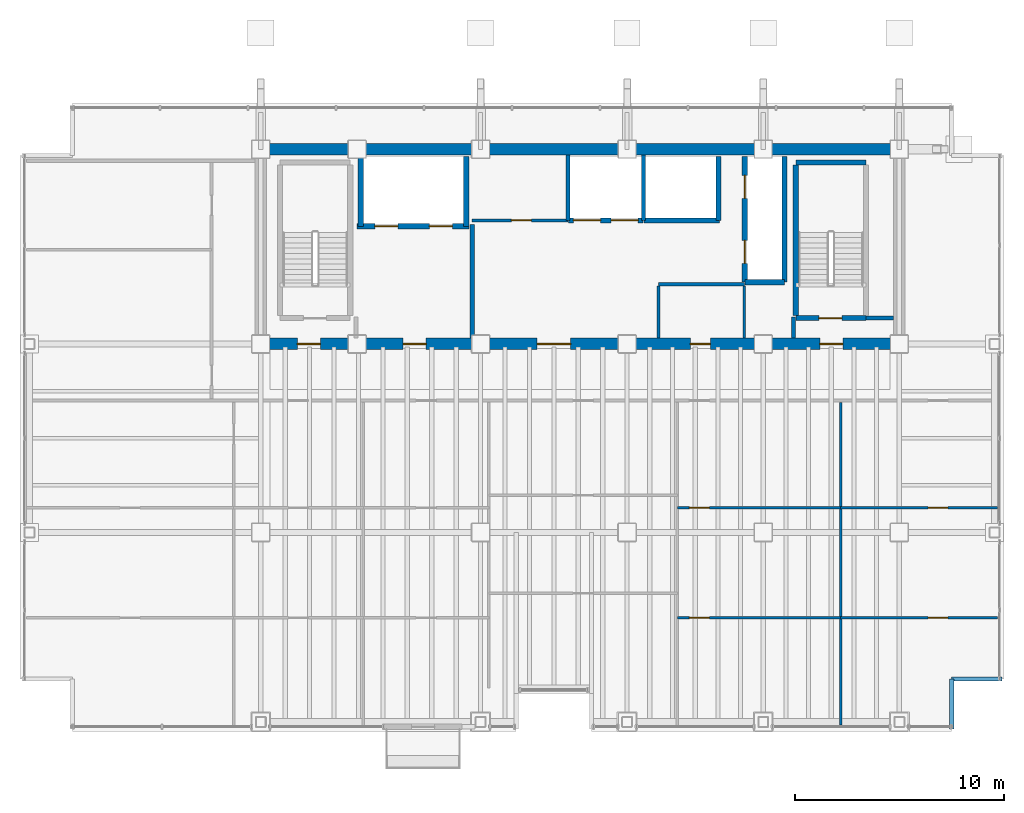
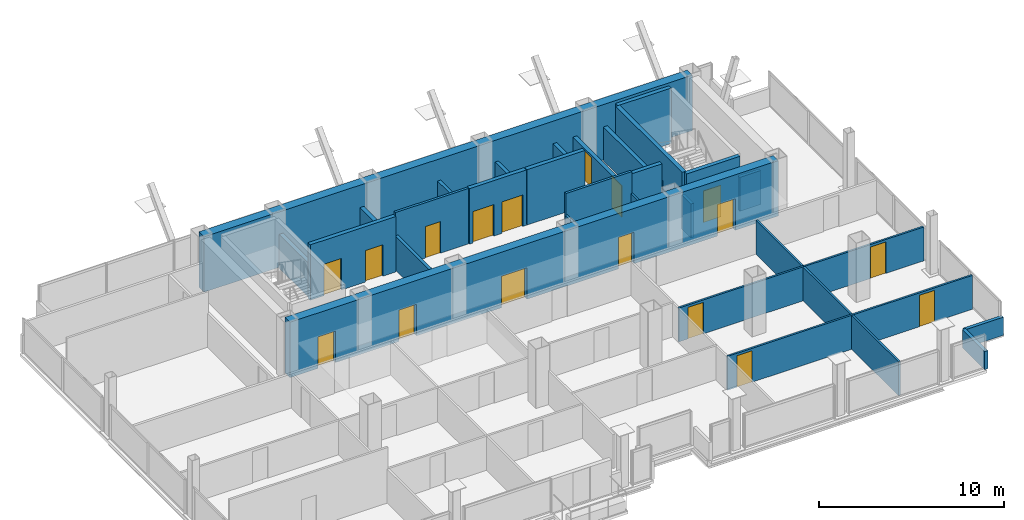
# One storey, part 20 of 22: 30 walls, 17 doors, 17 openings.
"""IFC4 building model written with IfcOpenShell, lengths in metres."""

from ifc_helpers import new_model, si_unit, direction, frame, frame_2d, origin, place, context, subcontext, project, spatial, rectangle, extrude, material, layer, layer_set, type_object, element, fill, save


model = new_model("IFC4")

# Units and contexts
model_context = context("Model", 3, precision=1e-05, world=origin(), true_north=direction((0.0, 1.0)))
body_context = subcontext(model_context, "Body", "Model", "MODEL_VIEW")
ifc_project = project(units=[si_unit("LENGTHUNIT", "METRE"), si_unit("AREAUNIT", "SQUARE_METRE"), si_unit("VOLUMEUNIT", "CUBIC_METRE"), si_unit("PLANEANGLEUNIT", "RADIAN"), si_unit("MASSUNIT", "GRAM", prefix="KILO")], contexts=[model_context])

# Site, building, storey
site_placement = place(None, origin())
site = spatial("IfcSite", under=ifc_project, at=site_placement, CompositionType="ELEMENT")
building_placement = place(site_placement, origin())
building = spatial("IfcBuilding", under=site, at=building_placement, Name="Noeulbin Bourse Tower", CompositionType="ELEMENT")
storey_placement = place(building_placement, frame((0.0, 0.0, 138.300048828125)))
storey = spatial("IfcBuildingStorey", under=building, at=storey_placement, Name="L34", CompositionType="ELEMENT", Elevation=138.300048828125)

# Wall, openings, doors
ifc_material_1 = material(Name="Concrete C60/75", Category="concrete")
ifc_layer_1 = layer(ifc_material_1, 0.550048828125)
ifc_layer_set_1 = layer_set([ifc_layer_1], Name="Concrete C60/75")
wall_type_1 = type_object("IfcWallType", Name="WAL-CORE-550", PredefinedType="SHEAR", material=ifc_layer_set_1)
wall_1_placement = place(storey_placement, frame((13.5, 29.0, 0.0), z_axis=(0.0, 0.0, 1.0), x_axis=(1.0, 0.0, 0.0)))
wall_1 = element("IfcWall", 1, at=wall_1_placement, inside=storey, type_object=wall_type_1, Name="Rear Core South Shear Wall L34", PredefinedType="SHEAR", context=body_context, shape_type="SweptSolid", body=[
    extrude(rectangle(XDim=30.5, YDim=0.550048828125, at=frame_2d((15.25, 0.0))), origin(), (0.0, 0.0, 1.0), 3.659912109375),
])
opening_1_placement = place(wall_1_placement, frame((1.75, 0.0, 0.0)))
opening_1 = element("IfcOpeningElement", 2, at=opening_1_placement, cuts=wall_1, Name="Opening FD-11", PredefinedType="OPENING", context=body_context, shape_type="SweptSolid", body=[
    extrude(rectangle(XDim=1.10009765625, YDim=2.080078125, at=frame_2d((0.550048828125, 1.0400390625))), frame((0.0, 0.284912109375, 0.0), z_axis=(0.0, -1.0, 0.0), x_axis=(1.0, 0.0, 0.0)), (0.0, 0.0, 1.0), 0.570068359375),
])
opening_2_placement = place(wall_1_placement, frame((26.699951171875, 0.0, 0.0)))
opening_2 = element("IfcOpeningElement", 3, at=opening_2_placement, cuts=wall_1, Name="Opening FD-11", PredefinedType="OPENING", context=body_context, shape_type="SweptSolid", body=[
    extrude(rectangle(XDim=1.10009765625, YDim=2.080078125, at=frame_2d((0.550048828125, 1.0400390625))), frame((0.0, 0.284912109375, 0.0), z_axis=(0.0, -1.0, 0.0), x_axis=(1.0, 0.0, 0.0)), (0.0, 0.0, 1.0), 0.570068359375),
])
opening_3_placement = place(wall_1_placement, frame((6.800048828125, 0.0, 0.0)))
opening_3 = element("IfcOpeningElement", 4, at=opening_3_placement, cuts=wall_1, Name="Opening FD-11", PredefinedType="OPENING", context=body_context, shape_type="SweptSolid", body=[
    extrude(rectangle(XDim=1.10009765625, YDim=2.080078125, at=frame_2d((0.550048828125, 1.0400390625))), frame((0.0, 0.284912109375, 0.0), z_axis=(0.0, -1.0, 0.0), x_axis=(1.0, 0.0, 0.0)), (0.0, 0.0, 1.0), 0.570068359375),
])
opening_4_placement = place(wall_1_placement, frame((13.199951171875, 0.0, 0.0)))
opening_4 = element("IfcOpeningElement", 5, at=opening_4_placement, cuts=wall_1, Name="Opening ID-16", PredefinedType="OPENING", context=body_context, shape_type="SweptSolid", body=[
    extrude(rectangle(XDim=1.60009765625, YDim=2.080078125, at=frame_2d((0.800048828125, 1.0400390625))), frame((0.0, 0.284912109375, 0.0), z_axis=(0.0, -1.0, 0.0), x_axis=(1.0, 0.0, 0.0)), (0.0, 0.0, 1.0), 0.570068359375),
])
opening_5_placement = place(wall_1_placement, frame((20.52490234375, 0.0, 0.0)))
opening_5 = element("IfcOpeningElement", 6, at=opening_5_placement, cuts=wall_1, Name="Opening ID-09", PredefinedType="OPENING", context=body_context, shape_type="SweptSolid", body=[
    extrude(rectangle(XDim=0.949951171875, YDim=2.080078125, at=frame_2d((0.47509765625, 1.0400390625))), frame((0.0, 0.284912109375, 0.0), z_axis=(0.0, -1.0, 0.0), x_axis=(1.0, 0.0, 0.0)), (0.0, 0.0, 1.0), 0.570068359375),
])
ifc_material_2 = material(Name="Acoustic Glazed Aluminium", Category="aluminium")
door_type_1 = type_object("IfcDoorType", Name="DR-DBL-1600", OperationType="DOUBLE_DOOR_SINGLE_SWING", PredefinedType="DOOR", material=ifc_material_2)
door_1_placement = place(opening_4_placement, origin())
door_1 = element("IfcDoor", 7, at=door_1_placement, inside=storey, type_object=door_type_1, Name="Passenger Lift Lobby Portal L34", OperationType="DOUBLE_DOOR_SINGLE_SWING", OverallHeight=2.080078125, OverallWidth=1.60009765625, PredefinedType="DOOR", context=body_context, shape_type="SweptSolid", body=[
    extrude(rectangle(XDim=1.60009765625, YDim=2.080078125, at=frame_2d((0.800048828125, 1.0400390625))), frame((0.0, 0.02490234375, 0.0), z_axis=(0.0, -1.0, 0.0), x_axis=(1.0, 0.0, 0.0)), (0.0, 0.0, 1.0), 0.050048828125),
])
fill(opening_4, door_1)
ifc_material_3 = material(Name="Fire-Rated Insulated Steel", Category="steel")
door_type_2 = type_object("IfcDoorType", Name="DR-FD60-1100", OperationType="SINGLE_SWING_LEFT", PredefinedType="DOOR", material=ifc_material_3)
door_2_placement = place(opening_1_placement, origin())
door_2 = element("IfcDoor", 8, at=door_2_placement, inside=storey, type_object=door_type_2, Name="West Stair Lobby Door L34", OperationType="SINGLE_SWING_RIGHT", OverallHeight=2.080078125, OverallWidth=1.10009765625, PredefinedType="DOOR", context=body_context, shape_type="SweptSolid", body=[
    extrude(rectangle(XDim=1.10009765625, YDim=2.080078125, at=frame_2d((0.550048828125, 1.0400390625))), frame((0.0, 0.02490234375, 0.0), z_axis=(0.0, -1.0, 0.0), x_axis=(1.0, 0.0, 0.0)), (0.0, 0.0, 1.0), 0.050048828125),
])
fill(opening_1, door_2)
door_3_placement = place(opening_2_placement, origin())
door_3 = element("IfcDoor", 9, at=door_3_placement, inside=storey, type_object=door_type_2, Name="East Stair Lobby Door L34", OperationType="SINGLE_SWING_LEFT", OverallHeight=2.080078125, OverallWidth=1.10009765625, PredefinedType="DOOR", context=body_context, shape_type="SweptSolid", body=[
    extrude(rectangle(XDim=1.10009765625, YDim=2.080078125, at=frame_2d((0.550048828125, 1.0400390625))), frame((0.0, 0.02490234375, 0.0), z_axis=(0.0, -1.0, 0.0), x_axis=(1.0, 0.0, 0.0)), (0.0, 0.0, 1.0), 0.050048828125),
])
fill(opening_2, door_3)
door_4_placement = place(opening_3_placement, origin())
door_4 = element("IfcDoor", 10, at=door_4_placement, inside=storey, type_object=door_type_2, Name="Firefighting Lobby Door L34", OperationType="SINGLE_SWING_RIGHT", OverallHeight=2.080078125, OverallWidth=1.10009765625, PredefinedType="DOOR", context=body_context, shape_type="SweptSolid", body=[
    extrude(rectangle(XDim=1.10009765625, YDim=2.080078125, at=frame_2d((0.550048828125, 1.0400390625))), frame((0.0, 0.02490234375, 0.0), z_axis=(0.0, -1.0, 0.0), x_axis=(1.0, 0.0, 0.0)), (0.0, 0.0, 1.0), 0.050048828125),
])
fill(opening_3, door_4)
ifc_material_4 = material(Name="Acoustic Solid-Core Timber", Category="wood")
door_type_3 = type_object("IfcDoorType", Name="DR-SINGLE-950", OperationType="SINGLE_SWING_LEFT", PredefinedType="DOOR", material=ifc_material_4)
door_5_placement = place(opening_5_placement, origin())
door_5 = element("IfcDoor", 11, at=door_5_placement, inside=storey, type_object=door_type_3, Name="Interior Door L34-06", OperationType="SINGLE_SWING_LEFT", OverallHeight=2.080078125, OverallWidth=0.949951171875, PredefinedType="DOOR", context=body_context, shape_type="SweptSolid", body=[
    extrude(rectangle(XDim=0.949951171875, YDim=2.080078125, at=frame_2d((0.47509765625, 1.0400390625))), frame((0.0, 0.02490234375, 0.0), z_axis=(0.0, -1.0, 0.0), x_axis=(1.0, 0.0, 0.0)), (0.0, 0.0, 1.0), 0.050048828125),
])
fill(opening_5, door_5)

# Walls
wall_2_placement = place(storey_placement, frame((13.5, 38.300048828125, 0.0), z_axis=(0.0, 0.0, 1.0), x_axis=(1.0, 0.0, 0.0)))
element("IfcWall", 12, at=wall_2_placement, inside=storey, type_object=wall_type_1, Name="Rear Core North Shear Wall L34", PredefinedType="SHEAR", context=body_context, shape_type="SweptSolid", body=[
    extrude(rectangle(XDim=30.5, YDim=0.550048828125, at=frame_2d((15.25, 0.0))), origin(), (0.0, 0.0, 1.0), 3.659912109375),
])
ifc_material_5 = material(Name="Concrete C40/50", Category="concrete")
ifc_layer_2 = layer(ifc_material_5, 0.199951171875)
ifc_layer_set_2 = layer_set([ifc_layer_2], Name="Concrete C40/50")
wall_type_2 = type_object("IfcWallType", Name="WAL-FIRE-200", PredefinedType="STANDARD", material=ifc_layer_set_2)
wall_3_placement = place(storey_placement, frame((42.39990234375, 30.239990234375, 0.0), z_axis=(0.0, 0.0, 1.0), x_axis=(1.0, 0.0, 0.0)))
element("IfcWall", 13, at=wall_3_placement, inside=storey, type_object=wall_type_2, Name="Interior Partition Wall L34-01", PredefinedType="STANDARD", context=body_context, shape_type="SweptSolid", body=[
    extrude(rectangle(XDim=1.315185546875, YDim=0.199951171875, at=frame_2d((0.65771484375, 0.0))), origin(), (0.0, 0.0, 1.0), 2.239990234375),
])
wall_4_placement = place(storey_placement, frame((38.949951171875, 29.284912109375, 0.0), z_axis=(0.0, 0.0, 1.0), x_axis=(0.0, 1.0, 0.0)))
element("IfcWall", 14, at=wall_4_placement, inside=storey, type_object=wall_type_2, Name="Interior Partition Wall L34-20", PredefinedType="STANDARD", context=body_context, shape_type="SweptSolid", body=[
    extrude(rectangle(XDim=1.01513671875, YDim=0.199951171875, at=frame_2d((0.507568359375, 0.0))), origin(), (0.0, 0.0, 1.0), 2.239990234375),
])
wall_5_placement = place(storey_placement, frame((23.60009765625, 29.284912109375, 0.0), z_axis=(0.0, 0.0, 1.0), x_axis=(0.0, 1.0, 0.0)))
element("IfcWall", 15, at=wall_5_placement, inside=storey, type_object=wall_type_2, Name="Interior Partition Wall L34-21", PredefinedType="STANDARD", context=body_context, shape_type="SweptSolid", body=[
    extrude(rectangle(XDim=5.4150390625, YDim=0.199951171875, at=frame_2d((2.70751953125, 0.0))), origin(), (0.0, 0.0, 1.0), 2.239990234375),
])
ifc_layer_3 = layer(ifc_material_5, 0.199951171875)
ifc_layer_set_3 = layer_set([ifc_layer_3], Name="Concrete C40/50")
wall_type_3 = type_object("IfcWallType", Name="WAL-PAR-200", PredefinedType="PARAPET", material=ifc_layer_set_3)
for number, where, z_axis, x_axis, name in (
    (16, (46.5, 10.60009765625, 0.0), (0.0, 0.0, 1.0), (0.0, 1.0, 0.0), "Corner Notch Parapet L34-SE1"),
    (17, (46.5, 13.0, 0.0), (0.0, 0.0, 1.0), (1.0, 0.0, 0.0), "Corner Notch Parapet L34-SE2"),
):
    element("IfcWall", number, at=place(storey_placement, frame(where, z_axis=z_axis, x_axis=x_axis)), inside=storey, type_object=wall_type_3, Name=name, PredefinedType="PARAPET", context=body_context, shape_type="SweptSolid", body=[
        extrude(rectangle(XDim=2.39990234375, YDim=0.199951171875, at=frame_2d((1.199951171875, 0.0))), origin(), (0.0, 0.0, 1.0), 1.199951171875),
    ])

# Wall, opening, door
ifc_material_6 = material(Name="Steel Stud Gypsum Partition", Category="steel")
ifc_layer_4 = layer(ifc_material_6, 0.1201171875)
ifc_layer_set_4 = layer_set([ifc_layer_4], Name="Steel Stud Gypsum Partition")
wall_type_4 = type_object("IfcWallType", Name="WAL-PRT-120", PredefinedType="PARTITIONING", material=ifc_layer_set_4)
wall_6_placement = place(storey_placement, frame((33.39990234375, 21.18798828125, 0.0), z_axis=(0.0, 0.0, 1.0), x_axis=(1.0, 0.0, 0.0)))
wall_6 = element("IfcWall", 18, at=wall_6_placement, inside=storey, type_object=wall_type_4, Name="Interior Partition Wall L34-14", PredefinedType="PARTITIONING", context=body_context, shape_type="SweptSolid", body=[
    extrude(rectangle(XDim=7.800048828125, YDim=0.1201171875, at=frame_2d((3.89990234375, 0.0))), origin(), (0.0, 0.0, 1.0), 2.239990234375),
])
opening_6_placement = place(wall_6_placement, frame((0.574951171875, 0.0, 0.0)))
opening_6 = element("IfcOpeningElement", 19, at=opening_6_placement, cuts=wall_6, Name="Opening ID-09", PredefinedType="OPENING", context=body_context, shape_type="SweptSolid", body=[
    extrude(rectangle(XDim=0.949951171875, YDim=2.080078125, at=frame_2d((0.47509765625, 1.0400390625))), frame((0.0, 0.070068359375, 0.0), z_axis=(0.0, -1.0, 0.0), x_axis=(1.0, 0.0, 0.0)), (0.0, 0.0, 1.0), 0.14013671875),
])
door_6_placement = place(opening_6_placement, origin())
door_6 = element("IfcDoor", 20, at=door_6_placement, inside=storey, type_object=door_type_3, Name="Interior Door L34-19", OperationType="SINGLE_SWING_RIGHT", OverallHeight=2.080078125, OverallWidth=0.949951171875, PredefinedType="DOOR", context=body_context, shape_type="SweptSolid", body=[
    extrude(rectangle(XDim=0.949951171875, YDim=2.080078125, at=frame_2d((0.47509765625, 1.0400390625))), frame((0.0, 0.02490234375, 0.0), z_axis=(0.0, -1.0, 0.0), x_axis=(1.0, 0.0, 0.0)), (0.0, 0.0, 1.0), 0.050048828125),
])
fill(opening_6, door_6)

wall_7_placement = place(storey_placement, frame((33.39990234375, 15.922119140625, 0.0), z_axis=(0.0, 0.0, 1.0), x_axis=(1.0, 0.0, 0.0)))
wall_7 = element("IfcWall", 21, at=wall_7_placement, inside=storey, type_object=wall_type_4, Name="Interior Partition Wall L34-15", PredefinedType="PARTITIONING", context=body_context, shape_type="SweptSolid", body=[
    extrude(rectangle(XDim=7.800048828125, YDim=0.1201171875, at=frame_2d((3.89990234375, 0.0))), origin(), (0.0, 0.0, 1.0), 2.239990234375),
])
opening_7_placement = place(wall_7_placement, frame((0.574951171875, 0.0, 0.0)))
opening_7 = element("IfcOpeningElement", 22, at=opening_7_placement, cuts=wall_7, Name="Opening ID-09", PredefinedType="OPENING", context=body_context, shape_type="SweptSolid", body=[
    extrude(rectangle(XDim=0.949951171875, YDim=2.080078125, at=frame_2d((0.47509765625, 1.0400390625))), frame((0.0, 0.070068359375, 0.0), z_axis=(0.0, -1.0, 0.0), x_axis=(1.0, 0.0, 0.0)), (0.0, 0.0, 1.0), 0.14013671875),
])
door_7_placement = place(opening_7_placement, origin())
door_7 = element("IfcDoor", 23, at=door_7_placement, inside=storey, type_object=door_type_3, Name="Interior Door L34-20", OperationType="SINGLE_SWING_LEFT", OverallHeight=2.080078125, OverallWidth=0.949951171875, PredefinedType="DOOR", context=body_context, shape_type="SweptSolid", body=[
    extrude(rectangle(XDim=0.949951171875, YDim=2.080078125, at=frame_2d((0.47509765625, 1.0400390625))), frame((0.0, 0.02490234375, 0.0), z_axis=(0.0, -1.0, 0.0), x_axis=(1.0, 0.0, 0.0)), (0.0, 0.0, 1.0), 0.050048828125),
])
fill(opening_7, door_7)

wall_8_placement = place(storey_placement, frame((41.199951171875, 21.18798828125, 0.0), z_axis=(0.0, 0.0, 1.0), x_axis=(1.0, 0.0, 0.0)))
wall_8 = element("IfcWall", 24, at=wall_8_placement, inside=storey, type_object=wall_type_4, Name="Interior Partition Wall L34-16", PredefinedType="PARTITIONING", context=body_context, shape_type="SweptSolid", body=[
    extrude(rectangle(XDim=7.489990234375, YDim=0.1201171875, at=frame_2d((3.7451171875, 0.0))), origin(), (0.0, 0.0, 1.0), 2.239990234375),
])
opening_8_placement = place(wall_8_placement, frame((4.169921875, 0.0, 0.0)))
opening_8 = element("IfcOpeningElement", 25, at=opening_8_placement, cuts=wall_8, Name="Opening ID-09", PredefinedType="OPENING", context=body_context, shape_type="SweptSolid", body=[
    extrude(rectangle(XDim=0.949951171875, YDim=2.080078125, at=frame_2d((0.47509765625, 1.0400390625))), frame((0.0, 0.070068359375, 0.0), z_axis=(0.0, -1.0, 0.0), x_axis=(1.0, 0.0, 0.0)), (0.0, 0.0, 1.0), 0.14013671875),
])
door_8_placement = place(opening_8_placement, origin())
door_8 = element("IfcDoor", 26, at=door_8_placement, inside=storey, type_object=door_type_3, Name="Interior Door L34-22", OperationType="SINGLE_SWING_LEFT", OverallHeight=2.080078125, OverallWidth=0.949951171875, PredefinedType="DOOR", context=body_context, shape_type="SweptSolid", body=[
    extrude(rectangle(XDim=0.949951171875, YDim=2.080078125, at=frame_2d((0.47509765625, 1.0400390625))), frame((0.0, 0.02490234375, 0.0), z_axis=(0.0, -1.0, 0.0), x_axis=(1.0, 0.0, 0.0)), (0.0, 0.0, 1.0), 0.050048828125),
])
fill(opening_8, door_8)

wall_9_placement = place(storey_placement, frame((41.199951171875, 15.922119140625, 0.0), z_axis=(0.0, 0.0, 1.0), x_axis=(1.0, 0.0, 0.0)))
wall_9 = element("IfcWall", 27, at=wall_9_placement, inside=storey, type_object=wall_type_4, Name="Interior Partition Wall L34-17", PredefinedType="PARTITIONING", context=body_context, shape_type="SweptSolid", body=[
    extrude(rectangle(XDim=7.489990234375, YDim=0.1201171875, at=frame_2d((3.7451171875, 0.0))), origin(), (0.0, 0.0, 1.0), 2.239990234375),
])
opening_9_placement = place(wall_9_placement, frame((4.169921875, 0.0, 0.0)))
opening_9 = element("IfcOpeningElement", 28, at=opening_9_placement, cuts=wall_9, Name="Opening ID-09", PredefinedType="OPENING", context=body_context, shape_type="SweptSolid", body=[
    extrude(rectangle(XDim=0.949951171875, YDim=2.080078125, at=frame_2d((0.47509765625, 1.0400390625))), frame((0.0, 0.070068359375, 0.0), z_axis=(0.0, -1.0, 0.0), x_axis=(1.0, 0.0, 0.0)), (0.0, 0.0, 1.0), 0.14013671875),
])
door_9_placement = place(opening_9_placement, origin())
door_9 = element("IfcDoor", 29, at=door_9_placement, inside=storey, type_object=door_type_3, Name="Interior Door L34-23", OperationType="SINGLE_SWING_RIGHT", OverallHeight=2.080078125, OverallWidth=0.949951171875, PredefinedType="DOOR", context=body_context, shape_type="SweptSolid", body=[
    extrude(rectangle(XDim=0.949951171875, YDim=2.080078125, at=frame_2d((0.47509765625, 1.0400390625))), frame((0.0, 0.02490234375, 0.0), z_axis=(0.0, -1.0, 0.0), x_axis=(1.0, 0.0, 0.0)), (0.0, 0.0, 1.0), 0.050048828125),
])
fill(opening_9, door_9)

# Walls
wall_10_placement = place(storey_placement, frame((36.60009765625, 29.284912109375, 0.0), z_axis=(0.0, 0.0, 1.0), x_axis=(0.0, 1.0, 0.0)))
element("IfcWall", 30, at=wall_10_placement, inside=storey, type_object=wall_type_4, Name="Interior Partition Wall L34-23", PredefinedType="PARTITIONING", context=body_context, shape_type="SweptSolid", body=[
    extrude(rectangle(XDim=2.47998046875, YDim=0.1201171875, at=frame_2d((1.239990234375, 0.0))), origin(), (0.0, 0.0, 1.0), 2.239990234375),
])
wall_11_placement = place(storey_placement, frame((41.199951171875, 10.81005859375, 0.0), z_axis=(0.0, 0.0, 1.0), x_axis=(0.0, 1.0, 0.0)))
element("IfcWall", 31, at=wall_11_placement, inside=storey, type_object=wall_type_4, Name="Interior Partition Wall L34-29", PredefinedType="PARTITIONING", context=body_context, shape_type="SweptSolid", body=[
    extrude(rectangle(XDim=15.405029296875, YDim=0.1201171875, at=frame_2d((7.70263671875, 0.0))), origin(), (0.0, 0.0, 1.0), 2.239990234375),
])

# Wall, opening, door
ifc_material_7 = material(Name="Steel Stud Acoustic Gypsum Board", Category="steel")
ifc_layer_5 = layer(ifc_material_7, 0.14990234375)
ifc_layer_set_5 = layer_set([ifc_layer_5], Name="Steel Stud Acoustic Gypsum Board")
wall_type_5 = type_object("IfcWallType", Name="WAL-PRT-150", PredefinedType="PARTITIONING", material=ifc_layer_set_5)
wall_12_placement = place(storey_placement, frame((23.60009765625, 34.89990234375, 0.0), z_axis=(0.0, 0.0, 1.0), x_axis=(1.0, 0.0, 0.0)))
wall_12 = element("IfcWall", 32, at=wall_12_placement, inside=storey, type_object=wall_type_5, Name="Interior Partition Wall L34-02", PredefinedType="PARTITIONING", context=body_context, shape_type="SweptSolid", body=[
    extrude(rectangle(XDim=4.579833984375, YDim=0.14990234375, at=frame_2d((2.2900390625, 0.0))), origin(), (0.0, 0.0, 1.0), 3.659912109375),
])
opening_10_placement = place(wall_12_placement, frame((1.875, 0.0, 0.0)))
opening_10 = element("IfcOpeningElement", 33, at=opening_10_placement, cuts=wall_12, Name="Opening ID-09", PredefinedType="OPENING", context=body_context, shape_type="SweptSolid", body=[
    extrude(rectangle(XDim=0.949951171875, YDim=2.080078125, at=frame_2d((0.47509765625, 1.0400390625))), frame((0.0, 0.0849609375, 0.0), z_axis=(0.0, -1.0, 0.0), x_axis=(1.0, 0.0, 0.0)), (0.0, 0.0, 1.0), 0.169921875),
])
door_10_placement = place(opening_10_placement, origin())
door_10 = element("IfcDoor", 34, at=door_10_placement, inside=storey, type_object=door_type_3, Name="Archive Room Door L34", OperationType="SINGLE_SWING_RIGHT", OverallHeight=2.080078125, OverallWidth=0.949951171875, PredefinedType="DOOR", context=body_context, shape_type="SweptSolid", body=[
    extrude(rectangle(XDim=0.949951171875, YDim=2.080078125, at=frame_2d((0.47509765625, 1.0400390625))), frame((0.0, 0.02490234375, 0.0), z_axis=(0.0, -1.0, 0.0), x_axis=(1.0, 0.0, 0.0)), (0.0, 0.0, 1.0), 0.050048828125),
])
fill(opening_10, door_10)

# Walls
wall_13_placement = place(storey_placement, frame((32.5, 31.85009765625, 0.0), z_axis=(0.0, 0.0, 1.0), x_axis=(1.0, 0.0, 0.0)))
element("IfcWall", 35, at=wall_13_placement, inside=storey, type_object=wall_type_5, Name="Interior Partition Wall L34-03", PredefinedType="PARTITIONING", context=body_context, shape_type="SweptSolid", body=[
    extrude(rectangle(XDim=4.10009765625, YDim=0.14990234375, at=frame_2d((2.050048828125, 0.0))), origin(), (0.0, 0.0, 1.0), 3.659912109375),
])
wall_14_placement = place(storey_placement, frame((32.5, 29.284912109375, 0.0), z_axis=(0.0, 0.0, 1.0), x_axis=(0.0, 1.0, 0.0)))
element("IfcWall", 36, at=wall_14_placement, inside=storey, type_object=wall_type_5, Name="Interior Partition Wall L34-22", PredefinedType="PARTITIONING", context=body_context, shape_type="SweptSolid", body=[
    extrude(rectangle(XDim=2.47998046875, YDim=0.14990234375, at=frame_2d((1.239990234375, 0.0))), origin(), (0.0, 0.0, 1.0), 2.239990234375),
])

# Wall, opening, door
ifc_layer_6 = layer(ifc_material_5, 0.25)
ifc_layer_set_6 = layer_set([ifc_layer_6], Name="Concrete C40/50")
wall_type_6 = type_object("IfcWallType", Name="WAL-SHFT-250", PredefinedType="STANDARD", material=ifc_layer_set_6)
wall_15_placement = place(storey_placement, frame((39.06005859375, 30.235107421875, 0.0), z_axis=(0.0, 0.0, 1.0), x_axis=(1.0, 0.0, 0.0)))
wall_15 = element("IfcWall", 37, at=wall_15_placement, inside=storey, type_object=wall_type_6, Name="Stair ST-2 South Shaft Wall L34", PredefinedType="STANDARD", context=body_context, shape_type="SweptSolid", body=[
    extrude(rectangle(XDim=3.33984375, YDim=0.25, at=frame_2d((1.669921875, 0.0))), origin(), (0.0, 0.0, 1.0), 3.659912109375),
])
opening_11_placement = place(wall_15_placement, frame((1.10009765625, 0.0, 0.0)))
opening_11 = element("IfcOpeningElement", 38, at=opening_11_placement, cuts=wall_15, Name="Opening FD-11", PredefinedType="OPENING", context=body_context, shape_type="SweptSolid", body=[
    extrude(rectangle(XDim=1.10009765625, YDim=2.080078125, at=frame_2d((0.550048828125, 1.0400390625))), frame((0.0, 0.135009765625, 0.0), z_axis=(0.0, -1.0, 0.0), x_axis=(1.0, 0.0, 0.0)), (0.0, 0.0, 1.0), 0.27001953125),
])
door_11_placement = place(opening_11_placement, origin())
door_11 = element("IfcDoor", 39, at=door_11_placement, inside=storey, type_object=door_type_2, Name="Protected Stair Entry Door ST2-L34", OperationType="SINGLE_SWING_LEFT", OverallHeight=2.080078125, OverallWidth=1.10009765625, PredefinedType="DOOR", context=body_context, shape_type="SweptSolid", body=[
    extrude(rectangle(XDim=1.10009765625, YDim=2.080078125, at=frame_2d((0.550048828125, 1.0400390625))), frame((0.0, 0.02490234375, 0.0), z_axis=(0.0, -1.0, 0.0), x_axis=(1.0, 0.0, 0.0)), (0.0, 0.0, 1.0), 0.050048828125),
])
fill(opening_11, door_11)

# Walls
wall_16_placement = place(storey_placement, frame((39.06005859375, 37.6689453125, 0.0), z_axis=(0.0, 0.0, 1.0), x_axis=(1.0, 0.0, 0.0)))
element("IfcWall", 40, at=wall_16_placement, inside=storey, type_object=wall_type_6, Name="Stair ST-2 North Shaft Wall L34", PredefinedType="STANDARD", context=body_context, shape_type="SweptSolid", body=[
    extrude(rectangle(XDim=3.33984375, YDim=0.25, at=frame_2d((1.669921875, 0.0))), origin(), (0.0, 0.0, 1.0), 3.659912109375),
])
wall_17_placement = place(storey_placement, frame((39.054931640625, 30.360107421875, 0.0), z_axis=(0.0, 0.0, 1.0), x_axis=(0.0, 1.0, 0.0)))
element("IfcWall", 41, at=wall_17_placement, inside=storey, type_object=wall_type_6, Name="Stair ST-2 West Shaft Wall L34", PredefinedType="STANDARD", context=body_context, shape_type="SweptSolid", body=[
    extrude(rectangle(XDim=7.183837890625, YDim=0.25, at=frame_2d((3.591796875, 0.0))), origin(), (0.0, 0.0, 1.0), 3.659912109375),
])

# Wall, openings, doors
wall_18_placement = place(storey_placement, frame((18.10009765625, 34.6201171875, 0.0), z_axis=(0.0, 0.0, 1.0), x_axis=(1.0, 0.0, 0.0)))
wall_18 = element("IfcWall", 42, at=wall_18_placement, inside=storey, type_object=wall_type_6, Name="Firefighting Lift Shaft Front L34", PredefinedType="STANDARD", context=body_context, shape_type="SweptSolid", body=[
    extrude(rectangle(XDim=5.349853515625, YDim=0.25, at=frame_2d((2.6748046875, 0.0))), origin(), (0.0, 0.0, 1.0), 3.659912109375),
])
opening_12_placement = place(wall_18_placement, frame((0.85009765625, 0.0, 0.0)))
opening_12 = element("IfcOpeningElement", 43, at=opening_12_placement, cuts=wall_18, Name="Opening LD-11", PredefinedType="OPENING", context=body_context, shape_type="SweptSolid", body=[
    extrude(rectangle(XDim=1.10009765625, YDim=2.080078125, at=frame_2d((0.550048828125, 1.0400390625))), frame((0.0, 0.135009765625, 0.0), z_axis=(0.0, -1.0, 0.0), x_axis=(1.0, 0.0, 0.0)), (0.0, 0.0, 1.0), 0.27001953125),
])
opening_13_placement = place(wall_18_placement, frame((3.449951171875, 0.0, 0.0)))
opening_13 = element("IfcOpeningElement", 44, at=opening_13_placement, cuts=wall_18, Name="Opening LD-11", PredefinedType="OPENING", context=body_context, shape_type="SweptSolid", body=[
    extrude(rectangle(XDim=1.10009765625, YDim=2.080078125, at=frame_2d((0.550048828125, 1.0400390625))), frame((0.0, 0.135009765625, 0.0), z_axis=(0.0, -1.0, 0.0), x_axis=(1.0, 0.0, 0.0)), (0.0, 0.0, 1.0), 0.27001953125),
])
ifc_material_8 = material(Name="Brushed Stainless Steel 316", Category="steel")
door_type_4 = type_object("IfcDoorType", Name="DR-LIFT-1100", OperationType="SLIDING_TO_LEFT", PredefinedType="DOOR", material=ifc_material_8)
door_12_placement = place(opening_12_placement, origin())
door_12 = element("IfcDoor", 45, at=door_12_placement, inside=storey, type_object=door_type_4, Name="Lift Landing Door LD-FL-01-L34", OperationType="SLIDING_TO_LEFT", OverallHeight=2.080078125, OverallWidth=1.10009765625, PredefinedType="DOOR", context=body_context, shape_type="SweptSolid", body=[
    extrude(rectangle(XDim=1.10009765625, YDim=2.080078125, at=frame_2d((0.550048828125, 1.0400390625))), frame((0.0, 0.02490234375, 0.0), z_axis=(0.0, -1.0, 0.0), x_axis=(1.0, 0.0, 0.0)), (0.0, 0.0, 1.0), 0.050048828125),
])
fill(opening_12, door_12)
door_13_placement = place(opening_13_placement, origin())
door_13 = element("IfcDoor", 46, at=door_13_placement, inside=storey, type_object=door_type_4, Name="Lift Landing Door LD-FL-02-L34", OperationType="SLIDING_TO_LEFT", OverallHeight=2.080078125, OverallWidth=1.10009765625, PredefinedType="DOOR", context=body_context, shape_type="SweptSolid", body=[
    extrude(rectangle(XDim=1.10009765625, YDim=2.080078125, at=frame_2d((0.550048828125, 1.0400390625))), frame((0.0, 0.02490234375, 0.0), z_axis=(0.0, -1.0, 0.0), x_axis=(1.0, 0.0, 0.0)), (0.0, 0.0, 1.0), 0.050048828125),
])
fill(opening_13, door_13)

wall_19_placement = place(storey_placement, frame((36.6201171875, 31.949951171875, 0.0), z_axis=(0.0, 0.0, 1.0), x_axis=(0.0, 1.0, 0.0)))
wall_19 = element("IfcWall", 47, at=wall_19_placement, inside=storey, type_object=wall_type_6, Name="Service Lift Shaft Wall L34", PredefinedType="STANDARD", context=body_context, shape_type="SweptSolid", body=[
    extrude(rectangle(XDim=6.0, YDim=0.25, at=frame_2d((3.0, 0.0))), origin(), (0.0, 0.0, 1.0), 2.239990234375),
])
opening_14_placement = place(wall_19_placement, frame((0.89990234375, 0.0, 0.0)))
opening_14 = element("IfcOpeningElement", 48, at=opening_14_placement, cuts=wall_19, Name="Opening LD-11", PredefinedType="OPENING", context=body_context, shape_type="SweptSolid", body=[
    extrude(rectangle(XDim=1.10009765625, YDim=2.080078125, at=frame_2d((0.550048828125, 1.0400390625))), frame((0.0, 0.135009765625, 0.0), z_axis=(0.0, -1.0, 0.0), x_axis=(1.0, 0.0, 0.0)), (0.0, 0.0, 1.0), 0.27001953125),
])
opening_15_placement = place(wall_19_placement, frame((4.0, 0.0, 0.0)))
opening_15 = element("IfcOpeningElement", 49, at=opening_15_placement, cuts=wall_19, Name="Opening LD-11", PredefinedType="OPENING", context=body_context, shape_type="SweptSolid", body=[
    extrude(rectangle(XDim=1.10009765625, YDim=2.080078125, at=frame_2d((0.550048828125, 1.0400390625))), frame((0.0, 0.135009765625, 0.0), z_axis=(0.0, -1.0, 0.0), x_axis=(1.0, 0.0, 0.0)), (0.0, 0.0, 1.0), 0.27001953125),
])
door_14_placement = place(opening_14_placement, origin())
door_14 = element("IfcDoor", 50, at=door_14_placement, inside=storey, type_object=door_type_4, Name="Lift Landing Door LD-EL-01-L34", OperationType="SLIDING_TO_LEFT", OverallHeight=2.080078125, OverallWidth=1.10009765625, PredefinedType="DOOR", context=body_context, shape_type="SweptSolid", body=[
    extrude(rectangle(XDim=1.10009765625, YDim=2.080078125, at=frame_2d((0.550048828125, 1.0400390625))), frame((0.0, 0.02490234375, 0.0), z_axis=(0.0, -1.0, 0.0), x_axis=(1.0, 0.0, 0.0)), (0.0, 0.0, 1.0), 0.050048828125),
])
fill(opening_14, door_14)
door_15_placement = place(opening_15_placement, origin())
door_15 = element("IfcDoor", 51, at=door_15_placement, inside=storey, type_object=door_type_4, Name="Lift Landing Door LD-SV-01-L34", OperationType="SLIDING_TO_LEFT", OverallHeight=2.080078125, OverallWidth=1.10009765625, PredefinedType="DOOR", context=body_context, shape_type="SweptSolid", body=[
    extrude(rectangle(XDim=1.10009765625, YDim=2.080078125, at=frame_2d((0.550048828125, 1.0400390625))), frame((0.0, 0.02490234375, 0.0), z_axis=(0.0, -1.0, 0.0), x_axis=(1.0, 0.0, 0.0)), (0.0, 0.0, 1.0), 0.050048828125),
])
fill(opening_15, door_15)

# Walls
wall_20_placement = place(storey_placement, frame((38.52001953125, 31.949951171875, 0.0), z_axis=(0.0, 0.0, 1.0), x_axis=(0.0, 1.0, 0.0)))
element("IfcWall", 52, at=wall_20_placement, inside=storey, type_object=wall_type_6, Name="Service Lift East Shaft Wall L34", PredefinedType="STANDARD", context=body_context, shape_type="SweptSolid", body=[
    extrude(rectangle(XDim=6.0, YDim=0.25, at=frame_2d((3.0, 0.0))), origin(), (0.0, 0.0, 1.0), 2.239990234375),
])
wall_21_placement = place(storey_placement, frame((36.6201171875, 31.949951171875, 0.0), z_axis=(0.0, 0.0, 1.0), x_axis=(1.0, 0.0, 0.0)))
element("IfcWall", 53, at=wall_21_placement, inside=storey, type_object=wall_type_6, Name="Service Lift South Shaft Wall L34", PredefinedType="STANDARD", context=body_context, shape_type="SweptSolid", body=[
    extrude(rectangle(XDim=1.89990234375, YDim=0.25, at=frame_2d((0.949951171875, 0.0))), origin(), (0.0, 0.0, 1.0), 3.47998046875),
])
for number, where, z_axis, x_axis, name in (
    (54, (18.280029296875, 34.6201171875, 0.0), (0.0, 0.0, 1.0), (0.0, 1.0, 0.0), "Firefighting Lift West Shaft Wall L34"),
    (55, (23.320068359375, 34.6201171875, 0.0), (0.0, 0.0, 1.0), (0.0, 1.0, 0.0), "Firefighting Lift East Shaft Wall L34"),
):
    element("IfcWall", number, at=place(storey_placement, frame(where, z_axis=z_axis, x_axis=x_axis)), inside=storey, type_object=wall_type_6, Name=name, PredefinedType="STANDARD", context=body_context, shape_type="SweptSolid", body=[
        extrude(rectangle(XDim=3.329833984375, YDim=0.25, at=frame_2d((1.6650390625, 0.0))), origin(), (0.0, 0.0, 1.0), 2.239990234375),
    ])
wall_22_placement = place(storey_placement, frame((35.360107421875, 34.89990234375, 0.0), z_axis=(0.0, 0.0, 1.0), x_axis=(0.0, 1.0, 0.0)))
element("IfcWall", 56, at=wall_22_placement, inside=storey, type_object=wall_type_6, Name="High-Rise Lift East Shaft Wall L34", PredefinedType="STANDARD", context=body_context, shape_type="SweptSolid", body=[
    extrude(rectangle(XDim=3.050048828125, YDim=0.25, at=frame_2d((1.52490234375, 0.0))), origin(), (0.0, 0.0, 1.0), 2.239990234375),
])

# Wall, openings, doors
wall_23_placement = place(storey_placement, frame((28.199951171875, 34.89990234375, 0.0), z_axis=(0.0, 0.0, 1.0), x_axis=(1.0, 0.0, 0.0)))
wall_23 = element("IfcWall", 57, at=wall_23_placement, inside=storey, type_object=wall_type_6, Name="Mid-Rise Lift Bank Front L34", PredefinedType="STANDARD", context=body_context, shape_type="SweptSolid", body=[
    extrude(rectangle(XDim=3.550048828125, YDim=0.25, at=frame_2d((1.77490234375, 0.0))), origin(), (0.0, 0.0, 1.0), 3.659912109375),
])
opening_16_placement = place(wall_23_placement, frame((0.22998046875, 0.0, 0.0)))
opening_16 = element("IfcOpeningElement", 58, at=opening_16_placement, cuts=wall_23, Name="Opening LD-13", PredefinedType="OPENING", context=body_context, shape_type="SweptSolid", body=[
    extrude(rectangle(XDim=1.300048828125, YDim=2.080078125, at=frame_2d((0.64990234375, 1.0400390625))), frame((0.0, 0.135009765625, 0.0), z_axis=(0.0, -1.0, 0.0), x_axis=(1.0, 0.0, 0.0)), (0.0, 0.0, 1.0), 0.27001953125),
])
opening_17_placement = place(wall_23_placement, frame((2.030029296875, 0.0, 0.0)))
opening_17 = element("IfcOpeningElement", 59, at=opening_17_placement, cuts=wall_23, Name="Opening LD-13", PredefinedType="OPENING", context=body_context, shape_type="SweptSolid", body=[
    extrude(rectangle(XDim=1.300048828125, YDim=2.080078125, at=frame_2d((0.64990234375, 1.0400390625))), frame((0.0, 0.135009765625, 0.0), z_axis=(0.0, -1.0, 0.0), x_axis=(1.0, 0.0, 0.0)), (0.0, 0.0, 1.0), 0.27001953125),
])
door_type_5 = type_object("IfcDoorType", Name="DR-LIFT-1300", OperationType="DOUBLE_DOOR_SLIDING", PredefinedType="DOOR", material=ifc_material_8)
door_16_placement = place(opening_16_placement, origin())
door_16 = element("IfcDoor", 60, at=door_16_placement, inside=storey, type_object=door_type_5, Name="Lift Landing Door LD-PL-M1-L34", OperationType="DOUBLE_DOOR_SLIDING", OverallHeight=2.080078125, OverallWidth=1.300048828125, PredefinedType="DOOR", context=body_context, shape_type="SweptSolid", body=[
    extrude(rectangle(XDim=1.300048828125, YDim=2.080078125, at=frame_2d((0.64990234375, 1.0400390625))), frame((0.0, 0.02490234375, 0.0), z_axis=(0.0, -1.0, 0.0), x_axis=(1.0, 0.0, 0.0)), (0.0, 0.0, 1.0), 0.050048828125),
])
fill(opening_16, door_16)
door_17_placement = place(opening_17_placement, origin())
door_17 = element("IfcDoor", 61, at=door_17_placement, inside=storey, type_object=door_type_5, Name="Lift Landing Door LD-PL-M2-L34", OperationType="DOUBLE_DOOR_SLIDING", OverallHeight=2.080078125, OverallWidth=1.300048828125, PredefinedType="DOOR", context=body_context, shape_type="SweptSolid", body=[
    extrude(rectangle(XDim=1.300048828125, YDim=2.080078125, at=frame_2d((0.64990234375, 1.0400390625))), frame((0.0, 0.02490234375, 0.0), z_axis=(0.0, -1.0, 0.0), x_axis=(1.0, 0.0, 0.0)), (0.0, 0.0, 1.0), 0.050048828125),
])
fill(opening_17, door_17)

# Walls
wall_24_placement = place(storey_placement, frame((31.800048828125, 34.89990234375, 0.0), z_axis=(0.0, 0.0, 1.0), x_axis=(1.0, 0.0, 0.0)))
element("IfcWall", 62, at=wall_24_placement, inside=storey, type_object=wall_type_6, Name="High-Rise Lift Bank Front L34", PredefinedType="STANDARD", context=body_context, shape_type="SweptSolid", body=[
    extrude(rectangle(XDim=3.599853515625, YDim=0.25, at=frame_2d((1.7998046875, 0.0))), origin(), (0.0, 0.0, 1.0), 3.659912109375),
])
for number, where, z_axis, x_axis, name in (
    (63, (28.179931640625, 34.89990234375, 0.0), (0.0, 0.0, 1.0), (0.0, 1.0, 0.0), "Hoistway Side Shaft Wall L34-PLMW"),
    (64, (31.780029296875, 34.89990234375, 0.0), (0.0, 0.0, 1.0), (0.0, 1.0, 0.0), "Hoistway Side Shaft Wall L34-PLHW"),
):
    element("IfcWall", number, at=place(storey_placement, frame(where, z_axis=z_axis, x_axis=x_axis)), inside=storey, type_object=wall_type_6, Name=name, PredefinedType="STANDARD", context=body_context, shape_type="SweptSolid", body=[
        extrude(rectangle(XDim=3.1201171875, YDim=0.199951171875, at=frame_2d((1.56005859375, 0.0))), origin(), (0.0, 0.0, 1.0), 2.239990234375),
    ])

save(model, "model.ifc")
